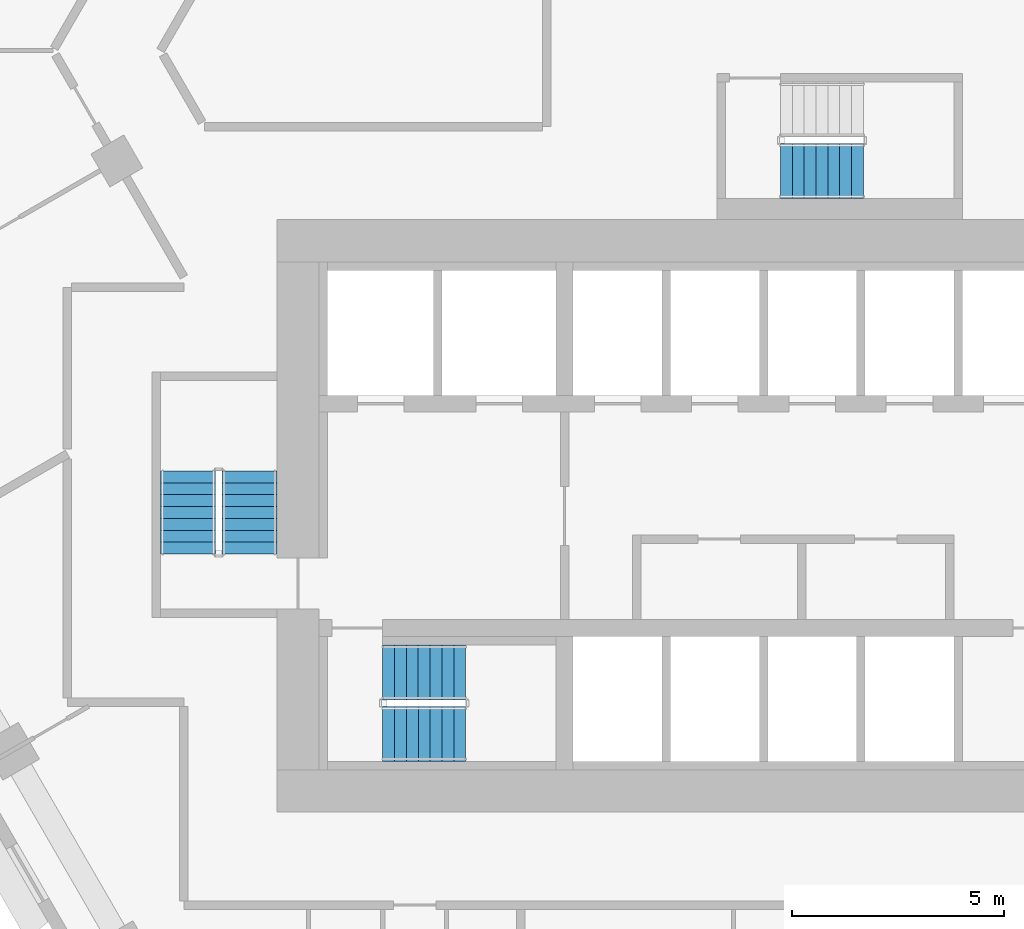
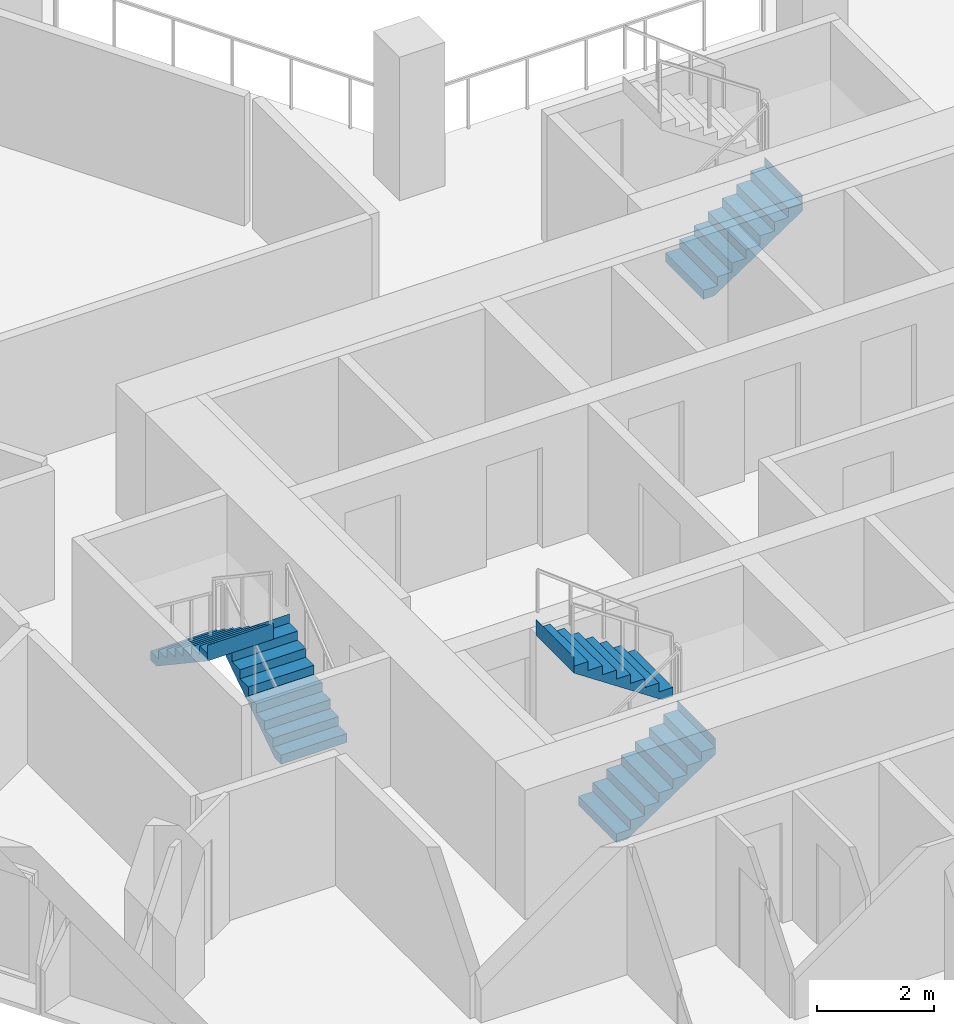
# One storey, part 10 of 15: 5 stair flights, 3 elements without a shape of their own.
"""IFC4 building model written with IfcOpenShell, lengths in metres."""

from ifc_helpers import new_model, si_unit, direction, frame, origin, place, context, subcontext, project, spatial, triangles, material, type_object, element, aggregate, save


model = new_model("IFC4")

# Units and contexts
model_context = context("Model", 3, precision=1e-05, world=origin(), true_north=direction((0.0, 1.0)))
body_context = subcontext(model_context, "Body", "Model", "MODEL_VIEW")
ifc_project = project(units=[si_unit("LENGTHUNIT", "METRE"), si_unit("AREAUNIT", "SQUARE_METRE"), si_unit("VOLUMEUNIT", "CUBIC_METRE"), si_unit("PLANEANGLEUNIT", "RADIAN"), si_unit("MASSUNIT", "GRAM", prefix="KILO")], contexts=[model_context])

# Site, building, storey
site_placement = place(None, origin())
site = spatial("IfcSite", under=ifc_project, at=site_placement, CompositionType="ELEMENT")
building_placement = place(site_placement, origin())
building = spatial("IfcBuilding", under=site, at=building_placement, Name="Beryl Residences", CompositionType="ELEMENT")
storey_placement = place(building_placement, frame((0.0, 0.0, 72.0)))
storey = spatial("IfcBuildingStorey", under=building, at=storey_placement, Name="L21", CompositionType="ELEMENT", Elevation=72.0)

# Stair, stair flights
ifc_material_1 = material(Name="Concrete C40/50", Category="concrete")
stair_type = type_object("IfcStairType", Name="ST1 protected exit stair, half-turn, 1300 mm flights", PredefinedType="HALF_TURN_STAIR", material=ifc_material_1)
stair_1_placement = place(storey_placement, origin())
stair_1 = element("IfcStair", 1, at=stair_1_placement, inside=storey, type_object=stair_type, Name="L21 PROTECTED EXIT STAIR ST-1", PredefinedType="HALF_TURN_STAIR")
ifc_material_2 = material(Name="Concrete C40/50", Category="concrete")
stair_flight_type = type_object("IfcStairFlightType", Name="SF1 stair flight 1300 mm", PredefinedType="STRAIGHT", material=ifc_material_2)
stair_flight_1_placement = place(storey_placement, frame((-10.800048828125, -17.14990234375, 0.0), z_axis=(0.0, 0.0, 1.0), x_axis=(1.0, 0.0, 0.0)))
stair_flight_1 = element("IfcStairFlight", 2, at=stair_flight_1_placement, type_object=stair_flight_type, Name="ST-1 flight 1", NumberOfRisers=8, NumberOfTreads=7, PredefinedType="STRAIGHT", RiserHeight=0.1875, TreadLength=0.28, context=body_context, shape_type="Tessellation", body=[
    triangles([(0.0, -0.64990234375, 0.0), (0.0, -0.324951171875, 0.0), (0.0, 0.0, 0.0), (0.0, 0.324951171875, 0.0), (0.0, 0.64990234375, 0.0), (0.0, -0.64990234375, 0.1875), (0.0, -0.324951171875, 0.1875), (0.0, 0.0, 0.1875), (0.0, 0.324951171875, 0.1875), (0.0, 0.64990234375, 0.1875), (0.280029296875, -0.64990234375, 0.1875), (0.280029296875, -0.324951171875, 0.1875), (0.280029296875, 0.0, 0.1875), (0.280029296875, 0.324951171875, 0.1875), (0.280029296875, 0.64990234375, 0.1875), (0.280029296875, -0.64990234375, 0.375), (0.280029296875, -0.324951171875, 0.375), (0.280029296875, 0.0, 0.375), (0.280029296875, 0.324951171875, 0.375), (0.280029296875, 0.64990234375, 0.375), (0.56005859375, -0.64990234375, 0.375), (0.56005859375, -0.324951171875, 0.375), (0.56005859375, 0.0, 0.375), (0.56005859375, 0.324951171875, 0.375), (0.56005859375, 0.64990234375, 0.375), (0.56005859375, -0.64990234375, 0.5625), (0.56005859375, -0.324951171875, 0.5625), (0.56005859375, 0.0, 0.5625), (0.56005859375, 0.324951171875, 0.5625), (0.56005859375, 0.64990234375, 0.5625), (0.840087890625, -0.64990234375, 0.5625), (0.840087890625, -0.324951171875, 0.5625), (0.840087890625, 0.0, 0.5625), (0.840087890625, 0.324951171875, 0.5625), (0.840087890625, 0.64990234375, 0.5625), (0.840087890625, -0.64990234375, 0.75), (0.840087890625, -0.324951171875, 0.75), (0.840087890625, 0.0, 0.75), (0.840087890625, 0.324951171875, 0.75), (0.840087890625, 0.64990234375, 0.75), (1.1201171875, -0.64990234375, 0.75), (1.1201171875, -0.324951171875, 0.75), (1.1201171875, 0.0, 0.75), (1.1201171875, 0.324951171875, 0.75), (1.1201171875, 0.64990234375, 0.75), (1.1201171875, -0.64990234375, 0.9375), (1.1201171875, -0.324951171875, 0.9375), (1.1201171875, 0.0, 0.9375), (1.1201171875, 0.324951171875, 0.9375), (1.1201171875, 0.64990234375, 0.9375), (1.39990234375, -0.64990234375, 0.9375), (1.39990234375, -0.324951171875, 0.9375), (1.39990234375, 0.0, 0.9375), (1.39990234375, 0.324951171875, 0.9375), (1.39990234375, 0.64990234375, 0.9375), (1.39990234375, -0.64990234375, 1.125), (1.39990234375, -0.324951171875, 1.125), (1.39990234375, 0.0, 1.125), (1.39990234375, 0.324951171875, 1.125), (1.39990234375, 0.64990234375, 1.125), (1.679931640625, -0.64990234375, 1.125), (1.679931640625, -0.324951171875, 1.125), (1.679931640625, 0.0, 1.125), (1.679931640625, 0.324951171875, 1.125), (1.679931640625, 0.64990234375, 1.125), (1.679931640625, -0.64990234375, 1.3125), (1.679931640625, -0.324951171875, 1.3125), (1.679931640625, 0.0, 1.3125), (1.679931640625, 0.324951171875, 1.3125), (1.679931640625, 0.64990234375, 1.3125), (1.9599609375, -0.64990234375, 1.3125), (1.9599609375, -0.324951171875, 1.3125), (1.9599609375, 0.0, 1.3125), (1.9599609375, 0.324951171875, 1.3125), (1.9599609375, 0.64990234375, 1.3125), (1.9599609375, -0.64990234375, 1.5), (1.9599609375, -0.324951171875, 1.5), (1.9599609375, 0.0, 1.5), (1.9599609375, 0.324951171875, 1.5), (1.9599609375, 0.64990234375, 1.5), (1.9609375, -0.64990234375, 1.5), (1.9609375, -0.324951171875, 1.5), (1.9609375, 0.0, 1.5), (1.9609375, 0.324951171875, 1.5), (1.9609375, 0.64990234375, 1.5), (1.9609375, -0.64990234375, 1.16796875), (1.9609375, -0.324951171875, 1.16796875), (1.9609375, 0.0, 1.16796875), (1.9609375, 0.324951171875, 1.16796875), (1.9609375, 0.64990234375, 1.16796875), (0.216796875, -0.64990234375, 0.0), (0.216796875, -0.324951171875, 0.0), (0.216796875, 0.0, 0.0), (0.216796875, 0.324951171875, 0.0), (0.216796875, 0.64990234375, 0.0)], [[1, 6, 7], [1, 7, 2], [2, 7, 8], [2, 8, 3], [3, 8, 9], [3, 9, 4], [4, 9, 10], [4, 10, 5], [6, 11, 12], [6, 12, 7], [7, 12, 13], [7, 13, 8], [8, 13, 14], [8, 14, 9], [9, 14, 15], [9, 15, 10], [11, 16, 17], [11, 17, 12], [12, 17, 18], [12, 18, 13], [13, 18, 19], [13, 19, 14], [14, 19, 20], [14, 20, 15], [16, 21, 22], [16, 22, 17], [17, 22, 23], [17, 23, 18], [18, 23, 24], [18, 24, 19], [19, 24, 25], [19, 25, 20], [21, 26, 27], [21, 27, 22], [22, 27, 28], [22, 28, 23], [23, 28, 29], [23, 29, 24], [24, 29, 30], [24, 30, 25], [26, 31, 32], [26, 32, 27], [27, 32, 33], [27, 33, 28], [28, 33, 34], [28, 34, 29], [29, 34, 35], [29, 35, 30], [31, 36, 37], [31, 37, 32], [32, 37, 38], [32, 38, 33], [33, 38, 39], [33, 39, 34], [34, 39, 40], [34, 40, 35], [36, 41, 42], [36, 42, 37], [37, 42, 43], [37, 43, 38], [38, 43, 44], [38, 44, 39], [39, 44, 45], [39, 45, 40], [41, 46, 47], [41, 47, 42], [42, 47, 48], [42, 48, 43], [43, 48, 49], [43, 49, 44], [44, 49, 50], [44, 50, 45], [46, 51, 52], [46, 52, 47], [47, 52, 53], [47, 53, 48], [48, 53, 54], [48, 54, 49], [49, 54, 55], [49, 55, 50], [51, 56, 57], [51, 57, 52], [52, 57, 58], [52, 58, 53], [53, 58, 59], [53, 59, 54], [54, 59, 60], [54, 60, 55], [56, 61, 62], [56, 62, 57], [57, 62, 63], [57, 63, 58], [58, 63, 64], [58, 64, 59], [59, 64, 65], [59, 65, 60], [61, 66, 67], [61, 67, 62], [62, 67, 68], [62, 68, 63], [63, 68, 69], [63, 69, 64], [64, 69, 70], [64, 70, 65], [66, 71, 72], [66, 72, 67], [67, 72, 73], [67, 73, 68], [68, 73, 74], [68, 74, 69], [69, 74, 75], [69, 75, 70], [71, 76, 77], [71, 77, 72], [72, 77, 78], [72, 78, 73], [73, 78, 79], [73, 79, 74], [74, 79, 80], [74, 80, 75], [76, 81, 82], [76, 82, 77], [77, 82, 83], [77, 83, 78], [78, 83, 84], [78, 84, 79], [79, 84, 85], [79, 85, 80], [81, 86, 87], [81, 87, 82], [82, 87, 88], [82, 88, 83], [83, 88, 89], [83, 89, 84], [84, 89, 90], [84, 90, 85], [86, 91, 92], [86, 92, 87], [87, 92, 93], [87, 93, 88], [88, 93, 94], [88, 94, 89], [89, 94, 95], [89, 95, 90], [91, 1, 2], [91, 2, 92], [92, 2, 3], [92, 3, 93], [93, 3, 4], [93, 4, 94], [94, 4, 5], [94, 5, 95], [1, 91, 86], [5, 90, 95], [86, 81, 76], [90, 80, 85], [86, 76, 71], [90, 75, 80], [86, 71, 66], [90, 70, 75], [86, 66, 61], [90, 65, 70], [61, 56, 51], [65, 55, 60], [86, 61, 51], [90, 55, 65], [51, 46, 41], [55, 45, 50], [86, 51, 41], [90, 45, 55], [41, 36, 31], [45, 35, 40], [86, 41, 31], [90, 35, 45], [31, 26, 21], [35, 25, 30], [86, 31, 21], [90, 25, 35], [21, 16, 11], [25, 15, 20], [86, 21, 11], [90, 15, 25], [1, 86, 11], [5, 15, 90], [11, 6, 1], [15, 5, 10]], closed=True),
])
stair_flight_2_placement = place(storey_placement, frame((-8.840087890625, -15.699951171875, 1.5), z_axis=(0.0, 0.0, 1.0), x_axis=(-1.0, 0.0, 0.0)))
stair_flight_2 = element("IfcStairFlight", 3, at=stair_flight_2_placement, type_object=stair_flight_type, Name="ST-1 flight 2", NumberOfRisers=8, NumberOfTreads=7, PredefinedType="STRAIGHT", RiserHeight=0.1875, TreadLength=0.28, context=body_context, shape_type="Tessellation", body=[
    triangles([(0.0, -0.64990234375, 0.0), (0.0, -0.324951171875, 0.0), (0.0, 0.0, 0.0), (0.0, 0.324951171875, 0.0), (0.0, 0.64990234375, 0.0), (0.0, -0.64990234375, 0.1875), (0.0, -0.324951171875, 0.1875), (0.0, 0.0, 0.1875), (0.0, 0.324951171875, 0.1875), (0.0, 0.64990234375, 0.1875), (0.280029296875, -0.64990234375, 0.1875), (0.280029296875, -0.324951171875, 0.1875), (0.280029296875, 0.0, 0.1875), (0.280029296875, 0.324951171875, 0.1875), (0.280029296875, 0.64990234375, 0.1875), (0.280029296875, -0.64990234375, 0.375), (0.280029296875, -0.324951171875, 0.375), (0.280029296875, 0.0, 0.375), (0.280029296875, 0.324951171875, 0.375), (0.280029296875, 0.64990234375, 0.375), (0.56005859375, -0.64990234375, 0.375), (0.56005859375, -0.324951171875, 0.375), (0.56005859375, 0.0, 0.375), (0.56005859375, 0.324951171875, 0.375), (0.56005859375, 0.64990234375, 0.375), (0.56005859375, -0.64990234375, 0.5625), (0.56005859375, -0.324951171875, 0.5625), (0.56005859375, 0.0, 0.5625), (0.56005859375, 0.324951171875, 0.5625), (0.56005859375, 0.64990234375, 0.5625), (0.840087890625, -0.64990234375, 0.5625), (0.840087890625, -0.324951171875, 0.5625), (0.840087890625, 0.0, 0.5625), (0.840087890625, 0.324951171875, 0.5625), (0.840087890625, 0.64990234375, 0.5625), (0.840087890625, -0.64990234375, 0.75), (0.840087890625, -0.324951171875, 0.75), (0.840087890625, 0.0, 0.75), (0.840087890625, 0.324951171875, 0.75), (0.840087890625, 0.64990234375, 0.75), (1.1201171875, -0.64990234375, 0.75), (1.1201171875, -0.324951171875, 0.75), (1.1201171875, 0.0, 0.75), (1.1201171875, 0.324951171875, 0.75), (1.1201171875, 0.64990234375, 0.75), (1.1201171875, -0.64990234375, 0.9375), (1.1201171875, -0.324951171875, 0.9375), (1.1201171875, 0.0, 0.9375), (1.1201171875, 0.324951171875, 0.9375), (1.1201171875, 0.64990234375, 0.9375), (1.39990234375, -0.64990234375, 0.9375), (1.39990234375, -0.324951171875, 0.9375), (1.39990234375, 0.0, 0.9375), (1.39990234375, 0.324951171875, 0.9375), (1.39990234375, 0.64990234375, 0.9375), (1.39990234375, -0.64990234375, 1.125), (1.39990234375, -0.324951171875, 1.125), (1.39990234375, 0.0, 1.125), (1.39990234375, 0.324951171875, 1.125), (1.39990234375, 0.64990234375, 1.125), (1.679931640625, -0.64990234375, 1.125), (1.679931640625, -0.324951171875, 1.125), (1.679931640625, 0.0, 1.125), (1.679931640625, 0.324951171875, 1.125), (1.679931640625, 0.64990234375, 1.125), (1.679931640625, -0.64990234375, 1.3125), (1.679931640625, -0.324951171875, 1.3125), (1.679931640625, 0.0, 1.3125), (1.679931640625, 0.324951171875, 1.3125), (1.679931640625, 0.64990234375, 1.3125), (1.9599609375, -0.64990234375, 1.3125), (1.9599609375, -0.324951171875, 1.3125), (1.9599609375, 0.0, 1.3125), (1.9599609375, 0.324951171875, 1.3125), (1.9599609375, 0.64990234375, 1.3125), (1.9599609375, -0.64990234375, 1.5), (1.9599609375, -0.324951171875, 1.5), (1.9599609375, 0.0, 1.5), (1.9599609375, 0.324951171875, 1.5), (1.9599609375, 0.64990234375, 1.5), (1.9609375, -0.64990234375, 1.5), (1.9609375, -0.324951171875, 1.5), (1.9609375, 0.0, 1.5), (1.9609375, 0.324951171875, 1.5), (1.9609375, 0.64990234375, 1.5), (1.9609375, -0.64990234375, 1.16796875), (1.9609375, -0.324951171875, 1.16796875), (1.9609375, 0.0, 1.16796875), (1.9609375, 0.324951171875, 1.16796875), (1.9609375, 0.64990234375, 1.16796875), (0.216796875, -0.64990234375, 0.0), (0.216796875, -0.324951171875, 0.0), (0.216796875, 0.0, 0.0), (0.216796875, 0.324951171875, 0.0), (0.216796875, 0.64990234375, 0.0)], [[1, 6, 7], [1, 7, 2], [2, 7, 8], [2, 8, 3], [3, 8, 9], [3, 9, 4], [4, 9, 10], [4, 10, 5], [6, 11, 12], [6, 12, 7], [7, 12, 13], [7, 13, 8], [8, 13, 14], [8, 14, 9], [9, 14, 15], [9, 15, 10], [11, 16, 17], [11, 17, 12], [12, 17, 18], [12, 18, 13], [13, 18, 19], [13, 19, 14], [14, 19, 20], [14, 20, 15], [16, 21, 22], [16, 22, 17], [17, 22, 23], [17, 23, 18], [18, 23, 24], [18, 24, 19], [19, 24, 25], [19, 25, 20], [21, 26, 27], [21, 27, 22], [22, 27, 28], [22, 28, 23], [23, 28, 29], [23, 29, 24], [24, 29, 30], [24, 30, 25], [26, 31, 32], [26, 32, 27], [27, 32, 33], [27, 33, 28], [28, 33, 34], [28, 34, 29], [29, 34, 35], [29, 35, 30], [31, 36, 37], [31, 37, 32], [32, 37, 38], [32, 38, 33], [33, 38, 39], [33, 39, 34], [34, 39, 40], [34, 40, 35], [36, 41, 42], [36, 42, 37], [37, 42, 43], [37, 43, 38], [38, 43, 44], [38, 44, 39], [39, 44, 45], [39, 45, 40], [41, 46, 47], [41, 47, 42], [42, 47, 48], [42, 48, 43], [43, 48, 49], [43, 49, 44], [44, 49, 50], [44, 50, 45], [46, 51, 52], [46, 52, 47], [47, 52, 53], [47, 53, 48], [48, 53, 54], [48, 54, 49], [49, 54, 55], [49, 55, 50], [51, 56, 57], [51, 57, 52], [52, 57, 58], [52, 58, 53], [53, 58, 59], [53, 59, 54], [54, 59, 60], [54, 60, 55], [56, 61, 62], [56, 62, 57], [57, 62, 63], [57, 63, 58], [58, 63, 64], [58, 64, 59], [59, 64, 65], [59, 65, 60], [61, 66, 67], [61, 67, 62], [62, 67, 68], [62, 68, 63], [63, 68, 69], [63, 69, 64], [64, 69, 70], [64, 70, 65], [66, 71, 72], [66, 72, 67], [67, 72, 73], [67, 73, 68], [68, 73, 74], [68, 74, 69], [69, 74, 75], [69, 75, 70], [71, 76, 77], [71, 77, 72], [72, 77, 78], [72, 78, 73], [73, 78, 79], [73, 79, 74], [74, 79, 80], [74, 80, 75], [76, 81, 82], [76, 82, 77], [77, 82, 83], [77, 83, 78], [78, 83, 84], [78, 84, 79], [79, 84, 85], [79, 85, 80], [81, 86, 87], [81, 87, 82], [82, 87, 88], [82, 88, 83], [83, 88, 89], [83, 89, 84], [84, 89, 90], [84, 90, 85], [86, 91, 92], [86, 92, 87], [87, 92, 93], [87, 93, 88], [88, 93, 94], [88, 94, 89], [89, 94, 95], [89, 95, 90], [91, 1, 2], [91, 2, 92], [92, 2, 3], [92, 3, 93], [93, 3, 4], [93, 4, 94], [94, 4, 5], [94, 5, 95], [1, 91, 86], [5, 90, 95], [86, 81, 76], [90, 80, 85], [86, 76, 71], [90, 75, 80], [86, 71, 66], [90, 70, 75], [86, 66, 61], [90, 65, 70], [61, 56, 51], [65, 55, 60], [86, 61, 51], [90, 55, 65], [51, 46, 41], [55, 45, 50], [86, 51, 41], [90, 45, 55], [41, 36, 31], [45, 35, 40], [86, 41, 31], [90, 35, 45], [31, 26, 21], [35, 25, 30], [86, 31, 21], [90, 25, 35], [21, 16, 11], [25, 15, 20], [86, 21, 11], [90, 15, 25], [1, 86, 11], [5, 15, 90], [11, 6, 1], [15, 5, 10]], closed=True),
])
aggregate(stair_1, [stair_flight_1, stair_flight_2])

stair_2_placement = place(storey_placement, origin())
stair_2 = element("IfcStair", 4, at=stair_2_placement, inside=storey, type_object=stair_type, Name="L21 PROTECTED EXIT STAIR ST-2", PredefinedType="HALF_TURN_STAIR")
stair_flight_3_placement = place(storey_placement, frame((-13.949951171875, -12.89990234375, 0.0), z_axis=(0.0, 0.0, 1.0), x_axis=(0.0, 1.0, 0.0)))
stair_flight_3 = element("IfcStairFlight", 5, at=stair_flight_3_placement, type_object=stair_flight_type, Name="ST-2 flight 1", NumberOfRisers=8, NumberOfTreads=7, PredefinedType="STRAIGHT", RiserHeight=0.1875, TreadLength=0.28, context=body_context, shape_type="Tessellation", body=[
    triangles([(0.0, -0.64990234375, 0.0), (0.0, -0.324951171875, 0.0), (0.0, 0.0, 0.0), (0.0, 0.324951171875, 0.0), (0.0, 0.64990234375, 0.0), (0.0, -0.64990234375, 0.1875), (0.0, -0.324951171875, 0.1875), (0.0, 0.0, 0.1875), (0.0, 0.324951171875, 0.1875), (0.0, 0.64990234375, 0.1875), (0.280029296875, -0.64990234375, 0.1875), (0.280029296875, -0.324951171875, 0.1875), (0.280029296875, 0.0, 0.1875), (0.280029296875, 0.324951171875, 0.1875), (0.280029296875, 0.64990234375, 0.1875), (0.280029296875, -0.64990234375, 0.375), (0.280029296875, -0.324951171875, 0.375), (0.280029296875, 0.0, 0.375), (0.280029296875, 0.324951171875, 0.375), (0.280029296875, 0.64990234375, 0.375), (0.56005859375, -0.64990234375, 0.375), (0.56005859375, -0.324951171875, 0.375), (0.56005859375, 0.0, 0.375), (0.56005859375, 0.324951171875, 0.375), (0.56005859375, 0.64990234375, 0.375), (0.56005859375, -0.64990234375, 0.5625), (0.56005859375, -0.324951171875, 0.5625), (0.56005859375, 0.0, 0.5625), (0.56005859375, 0.324951171875, 0.5625), (0.56005859375, 0.64990234375, 0.5625), (0.840087890625, -0.64990234375, 0.5625), (0.840087890625, -0.324951171875, 0.5625), (0.840087890625, 0.0, 0.5625), (0.840087890625, 0.324951171875, 0.5625), (0.840087890625, 0.64990234375, 0.5625), (0.840087890625, -0.64990234375, 0.75), (0.840087890625, -0.324951171875, 0.75), (0.840087890625, 0.0, 0.75), (0.840087890625, 0.324951171875, 0.75), (0.840087890625, 0.64990234375, 0.75), (1.1201171875, -0.64990234375, 0.75), (1.1201171875, -0.324951171875, 0.75), (1.1201171875, 0.0, 0.75), (1.1201171875, 0.324951171875, 0.75), (1.1201171875, 0.64990234375, 0.75), (1.1201171875, -0.64990234375, 0.9375), (1.1201171875, -0.324951171875, 0.9375), (1.1201171875, 0.0, 0.9375), (1.1201171875, 0.324951171875, 0.9375), (1.1201171875, 0.64990234375, 0.9375), (1.39990234375, -0.64990234375, 0.9375), (1.39990234375, -0.324951171875, 0.9375), (1.39990234375, 0.0, 0.9375), (1.39990234375, 0.324951171875, 0.9375), (1.39990234375, 0.64990234375, 0.9375), (1.39990234375, -0.64990234375, 1.125), (1.39990234375, -0.324951171875, 1.125), (1.39990234375, 0.0, 1.125), (1.39990234375, 0.324951171875, 1.125), (1.39990234375, 0.64990234375, 1.125), (1.679931640625, -0.64990234375, 1.125), (1.679931640625, -0.324951171875, 1.125), (1.679931640625, 0.0, 1.125), (1.679931640625, 0.324951171875, 1.125), (1.679931640625, 0.64990234375, 1.125), (1.679931640625, -0.64990234375, 1.3125), (1.679931640625, -0.324951171875, 1.3125), (1.679931640625, 0.0, 1.3125), (1.679931640625, 0.324951171875, 1.3125), (1.679931640625, 0.64990234375, 1.3125), (1.9599609375, -0.64990234375, 1.3125), (1.9599609375, -0.324951171875, 1.3125), (1.9599609375, 0.0, 1.3125), (1.9599609375, 0.324951171875, 1.3125), (1.9599609375, 0.64990234375, 1.3125), (1.9599609375, -0.64990234375, 1.5), (1.9599609375, -0.324951171875, 1.5), (1.9599609375, 0.0, 1.5), (1.9599609375, 0.324951171875, 1.5), (1.9599609375, 0.64990234375, 1.5), (1.9609375, -0.64990234375, 1.5), (1.9609375, -0.324951171875, 1.5), (1.9609375, 0.0, 1.5), (1.9609375, 0.324951171875, 1.5), (1.9609375, 0.64990234375, 1.5), (1.9609375, -0.64990234375, 1.16796875), (1.9609375, -0.324951171875, 1.16796875), (1.9609375, 0.0, 1.16796875), (1.9609375, 0.324951171875, 1.16796875), (1.9609375, 0.64990234375, 1.16796875), (0.216796875, -0.64990234375, 0.0), (0.216796875, -0.324951171875, 0.0), (0.216796875, 0.0, 0.0), (0.216796875, 0.324951171875, 0.0), (0.216796875, 0.64990234375, 0.0)], [[1, 6, 7], [1, 7, 2], [2, 7, 8], [2, 8, 3], [3, 8, 9], [3, 9, 4], [4, 9, 10], [4, 10, 5], [6, 11, 12], [6, 12, 7], [7, 12, 13], [7, 13, 8], [8, 13, 14], [8, 14, 9], [9, 14, 15], [9, 15, 10], [11, 16, 17], [11, 17, 12], [12, 17, 18], [12, 18, 13], [13, 18, 19], [13, 19, 14], [14, 19, 20], [14, 20, 15], [16, 21, 22], [16, 22, 17], [17, 22, 23], [17, 23, 18], [18, 23, 24], [18, 24, 19], [19, 24, 25], [19, 25, 20], [21, 26, 27], [21, 27, 22], [22, 27, 28], [22, 28, 23], [23, 28, 29], [23, 29, 24], [24, 29, 30], [24, 30, 25], [26, 31, 32], [26, 32, 27], [27, 32, 33], [27, 33, 28], [28, 33, 34], [28, 34, 29], [29, 34, 35], [29, 35, 30], [31, 36, 37], [31, 37, 32], [32, 37, 38], [32, 38, 33], [33, 38, 39], [33, 39, 34], [34, 39, 40], [34, 40, 35], [36, 41, 42], [36, 42, 37], [37, 42, 43], [37, 43, 38], [38, 43, 44], [38, 44, 39], [39, 44, 45], [39, 45, 40], [41, 46, 47], [41, 47, 42], [42, 47, 48], [42, 48, 43], [43, 48, 49], [43, 49, 44], [44, 49, 50], [44, 50, 45], [46, 51, 52], [46, 52, 47], [47, 52, 53], [47, 53, 48], [48, 53, 54], [48, 54, 49], [49, 54, 55], [49, 55, 50], [51, 56, 57], [51, 57, 52], [52, 57, 58], [52, 58, 53], [53, 58, 59], [53, 59, 54], [54, 59, 60], [54, 60, 55], [56, 61, 62], [56, 62, 57], [57, 62, 63], [57, 63, 58], [58, 63, 64], [58, 64, 59], [59, 64, 65], [59, 65, 60], [61, 66, 67], [61, 67, 62], [62, 67, 68], [62, 68, 63], [63, 68, 69], [63, 69, 64], [64, 69, 70], [64, 70, 65], [66, 71, 72], [66, 72, 67], [67, 72, 73], [67, 73, 68], [68, 73, 74], [68, 74, 69], [69, 74, 75], [69, 75, 70], [71, 76, 77], [71, 77, 72], [72, 77, 78], [72, 78, 73], [73, 78, 79], [73, 79, 74], [74, 79, 80], [74, 80, 75], [76, 81, 82], [76, 82, 77], [77, 82, 83], [77, 83, 78], [78, 83, 84], [78, 84, 79], [79, 84, 85], [79, 85, 80], [81, 86, 87], [81, 87, 82], [82, 87, 88], [82, 88, 83], [83, 88, 89], [83, 89, 84], [84, 89, 90], [84, 90, 85], [86, 91, 92], [86, 92, 87], [87, 92, 93], [87, 93, 88], [88, 93, 94], [88, 94, 89], [89, 94, 95], [89, 95, 90], [91, 1, 2], [91, 2, 92], [92, 2, 3], [92, 3, 93], [93, 3, 4], [93, 4, 94], [94, 4, 5], [94, 5, 95], [1, 91, 86], [5, 90, 95], [86, 81, 76], [90, 80, 85], [86, 76, 71], [90, 75, 80], [86, 71, 66], [90, 70, 75], [86, 66, 61], [90, 65, 70], [61, 56, 51], [65, 55, 60], [86, 61, 51], [90, 55, 65], [51, 46, 41], [55, 45, 50], [86, 51, 41], [90, 45, 55], [41, 36, 31], [45, 35, 40], [86, 41, 31], [90, 35, 45], [31, 26, 21], [35, 25, 30], [86, 31, 21], [90, 25, 35], [21, 16, 11], [25, 15, 20], [86, 21, 11], [90, 15, 25], [1, 86, 11], [5, 15, 90], [11, 6, 1], [15, 5, 10]], closed=True),
])
stair_flight_4_placement = place(storey_placement, frame((-15.39990234375, -10.93994140625, 1.5), z_axis=(0.0, 0.0, 1.0), x_axis=(0.0, -1.0, 0.0)))
stair_flight_4 = element("IfcStairFlight", 6, at=stair_flight_4_placement, type_object=stair_flight_type, Name="ST-2 flight 2", NumberOfRisers=8, NumberOfTreads=7, PredefinedType="STRAIGHT", RiserHeight=0.1875, TreadLength=0.28, context=body_context, shape_type="Tessellation", body=[
    triangles([(0.0, -0.64990234375, 0.0), (0.0, -0.324951171875, 0.0), (0.0, 0.0, 0.0), (0.0, 0.324951171875, 0.0), (0.0, 0.64990234375, 0.0), (0.0, -0.64990234375, 0.1875), (0.0, -0.324951171875, 0.1875), (0.0, 0.0, 0.1875), (0.0, 0.324951171875, 0.1875), (0.0, 0.64990234375, 0.1875), (0.280029296875, -0.64990234375, 0.1875), (0.280029296875, -0.324951171875, 0.1875), (0.280029296875, 0.0, 0.1875), (0.280029296875, 0.324951171875, 0.1875), (0.280029296875, 0.64990234375, 0.1875), (0.280029296875, -0.64990234375, 0.375), (0.280029296875, -0.324951171875, 0.375), (0.280029296875, 0.0, 0.375), (0.280029296875, 0.324951171875, 0.375), (0.280029296875, 0.64990234375, 0.375), (0.56005859375, -0.64990234375, 0.375), (0.56005859375, -0.324951171875, 0.375), (0.56005859375, 0.0, 0.375), (0.56005859375, 0.324951171875, 0.375), (0.56005859375, 0.64990234375, 0.375), (0.56005859375, -0.64990234375, 0.5625), (0.56005859375, -0.324951171875, 0.5625), (0.56005859375, 0.0, 0.5625), (0.56005859375, 0.324951171875, 0.5625), (0.56005859375, 0.64990234375, 0.5625), (0.840087890625, -0.64990234375, 0.5625), (0.840087890625, -0.324951171875, 0.5625), (0.840087890625, 0.0, 0.5625), (0.840087890625, 0.324951171875, 0.5625), (0.840087890625, 0.64990234375, 0.5625), (0.840087890625, -0.64990234375, 0.75), (0.840087890625, -0.324951171875, 0.75), (0.840087890625, 0.0, 0.75), (0.840087890625, 0.324951171875, 0.75), (0.840087890625, 0.64990234375, 0.75), (1.1201171875, -0.64990234375, 0.75), (1.1201171875, -0.324951171875, 0.75), (1.1201171875, 0.0, 0.75), (1.1201171875, 0.324951171875, 0.75), (1.1201171875, 0.64990234375, 0.75), (1.1201171875, -0.64990234375, 0.9375), (1.1201171875, -0.324951171875, 0.9375), (1.1201171875, 0.0, 0.9375), (1.1201171875, 0.324951171875, 0.9375), (1.1201171875, 0.64990234375, 0.9375), (1.39990234375, -0.64990234375, 0.9375), (1.39990234375, -0.324951171875, 0.9375), (1.39990234375, 0.0, 0.9375), (1.39990234375, 0.324951171875, 0.9375), (1.39990234375, 0.64990234375, 0.9375), (1.39990234375, -0.64990234375, 1.125), (1.39990234375, -0.324951171875, 1.125), (1.39990234375, 0.0, 1.125), (1.39990234375, 0.324951171875, 1.125), (1.39990234375, 0.64990234375, 1.125), (1.679931640625, -0.64990234375, 1.125), (1.679931640625, -0.324951171875, 1.125), (1.679931640625, 0.0, 1.125), (1.679931640625, 0.324951171875, 1.125), (1.679931640625, 0.64990234375, 1.125), (1.679931640625, -0.64990234375, 1.3125), (1.679931640625, -0.324951171875, 1.3125), (1.679931640625, 0.0, 1.3125), (1.679931640625, 0.324951171875, 1.3125), (1.679931640625, 0.64990234375, 1.3125), (1.9599609375, -0.64990234375, 1.3125), (1.9599609375, -0.324951171875, 1.3125), (1.9599609375, 0.0, 1.3125), (1.9599609375, 0.324951171875, 1.3125), (1.9599609375, 0.64990234375, 1.3125), (1.9599609375, -0.64990234375, 1.5), (1.9599609375, -0.324951171875, 1.5), (1.9599609375, 0.0, 1.5), (1.9599609375, 0.324951171875, 1.5), (1.9599609375, 0.64990234375, 1.5), (1.9609375, -0.64990234375, 1.5), (1.9609375, -0.324951171875, 1.5), (1.9609375, 0.0, 1.5), (1.9609375, 0.324951171875, 1.5), (1.9609375, 0.64990234375, 1.5), (1.9609375, -0.64990234375, 1.16796875), (1.9609375, -0.324951171875, 1.16796875), (1.9609375, 0.0, 1.16796875), (1.9609375, 0.324951171875, 1.16796875), (1.9609375, 0.64990234375, 1.16796875), (0.216796875, -0.64990234375, 0.0), (0.216796875, -0.324951171875, 0.0), (0.216796875, 0.0, 0.0), (0.216796875, 0.324951171875, 0.0), (0.216796875, 0.64990234375, 0.0)], [[1, 6, 7], [1, 7, 2], [2, 7, 8], [2, 8, 3], [3, 8, 9], [3, 9, 4], [4, 9, 10], [4, 10, 5], [6, 11, 12], [6, 12, 7], [7, 12, 13], [7, 13, 8], [8, 13, 14], [8, 14, 9], [9, 14, 15], [9, 15, 10], [11, 16, 17], [11, 17, 12], [12, 17, 18], [12, 18, 13], [13, 18, 19], [13, 19, 14], [14, 19, 20], [14, 20, 15], [16, 21, 22], [16, 22, 17], [17, 22, 23], [17, 23, 18], [18, 23, 24], [18, 24, 19], [19, 24, 25], [19, 25, 20], [21, 26, 27], [21, 27, 22], [22, 27, 28], [22, 28, 23], [23, 28, 29], [23, 29, 24], [24, 29, 30], [24, 30, 25], [26, 31, 32], [26, 32, 27], [27, 32, 33], [27, 33, 28], [28, 33, 34], [28, 34, 29], [29, 34, 35], [29, 35, 30], [31, 36, 37], [31, 37, 32], [32, 37, 38], [32, 38, 33], [33, 38, 39], [33, 39, 34], [34, 39, 40], [34, 40, 35], [36, 41, 42], [36, 42, 37], [37, 42, 43], [37, 43, 38], [38, 43, 44], [38, 44, 39], [39, 44, 45], [39, 45, 40], [41, 46, 47], [41, 47, 42], [42, 47, 48], [42, 48, 43], [43, 48, 49], [43, 49, 44], [44, 49, 50], [44, 50, 45], [46, 51, 52], [46, 52, 47], [47, 52, 53], [47, 53, 48], [48, 53, 54], [48, 54, 49], [49, 54, 55], [49, 55, 50], [51, 56, 57], [51, 57, 52], [52, 57, 58], [52, 58, 53], [53, 58, 59], [53, 59, 54], [54, 59, 60], [54, 60, 55], [56, 61, 62], [56, 62, 57], [57, 62, 63], [57, 63, 58], [58, 63, 64], [58, 64, 59], [59, 64, 65], [59, 65, 60], [61, 66, 67], [61, 67, 62], [62, 67, 68], [62, 68, 63], [63, 68, 69], [63, 69, 64], [64, 69, 70], [64, 70, 65], [66, 71, 72], [66, 72, 67], [67, 72, 73], [67, 73, 68], [68, 73, 74], [68, 74, 69], [69, 74, 75], [69, 75, 70], [71, 76, 77], [71, 77, 72], [72, 77, 78], [72, 78, 73], [73, 78, 79], [73, 79, 74], [74, 79, 80], [74, 80, 75], [76, 81, 82], [76, 82, 77], [77, 82, 83], [77, 83, 78], [78, 83, 84], [78, 84, 79], [79, 84, 85], [79, 85, 80], [81, 86, 87], [81, 87, 82], [82, 87, 88], [82, 88, 83], [83, 88, 89], [83, 89, 84], [84, 89, 90], [84, 90, 85], [86, 91, 92], [86, 92, 87], [87, 92, 93], [87, 93, 88], [88, 93, 94], [88, 94, 89], [89, 94, 95], [89, 95, 90], [91, 1, 2], [91, 2, 92], [92, 2, 3], [92, 3, 93], [93, 3, 4], [93, 4, 94], [94, 4, 5], [94, 5, 95], [1, 91, 86], [5, 90, 95], [86, 81, 76], [90, 80, 85], [86, 76, 71], [90, 75, 80], [86, 71, 66], [90, 70, 75], [86, 66, 61], [90, 65, 70], [61, 56, 51], [65, 55, 60], [86, 61, 51], [90, 55, 65], [51, 46, 41], [55, 45, 50], [86, 51, 41], [90, 45, 55], [41, 36, 31], [45, 35, 40], [86, 41, 31], [90, 35, 45], [31, 26, 21], [35, 25, 30], [86, 31, 21], [90, 25, 35], [21, 16, 11], [25, 15, 20], [86, 21, 11], [90, 15, 25], [1, 86, 11], [5, 15, 90], [11, 6, 1], [15, 5, 10]], closed=True),
])
aggregate(stair_2, [stair_flight_3, stair_flight_4])

# Stair, stair flight
stair_3_placement = place(storey_placement, origin())
stair_3 = element("IfcStair", 7, at=stair_3_placement, inside=storey, type_object=stair_type, Name="L21 PROTECTED EXIT STAIR ST-4", PredefinedType="HALF_TURN_STAIR")
stair_flight_5_placement = place(storey_placement, frame((-1.39990234375, -3.85009765625, 0.0), z_axis=(0.0, 0.0, 1.0), x_axis=(1.0, 0.0, 0.0)))
stair_flight_5 = element("IfcStairFlight", 8, at=stair_flight_5_placement, type_object=stair_flight_type, Name="ST-4 flight 1", NumberOfRisers=8, NumberOfTreads=7, PredefinedType="STRAIGHT", RiserHeight=0.1875, TreadLength=0.28, context=body_context, shape_type="Tessellation", body=[
    triangles([(0.0, -0.64990234375, 0.0), (0.0, -0.324951171875, 0.0), (0.0, 0.0, 0.0), (0.0, 0.324951171875, 0.0), (0.0, 0.64990234375, 0.0), (0.0, -0.64990234375, 0.1875), (0.0, -0.324951171875, 0.1875), (0.0, 0.0, 0.1875), (0.0, 0.324951171875, 0.1875), (0.0, 0.64990234375, 0.1875), (0.280029296875, -0.64990234375, 0.1875), (0.280029296875, -0.324951171875, 0.1875), (0.280029296875, 0.0, 0.1875), (0.280029296875, 0.324951171875, 0.1875), (0.280029296875, 0.64990234375, 0.1875), (0.280029296875, -0.64990234375, 0.375), (0.280029296875, -0.324951171875, 0.375), (0.280029296875, 0.0, 0.375), (0.280029296875, 0.324951171875, 0.375), (0.280029296875, 0.64990234375, 0.375), (0.56005859375, -0.64990234375, 0.375), (0.56005859375, -0.324951171875, 0.375), (0.56005859375, 0.0, 0.375), (0.56005859375, 0.324951171875, 0.375), (0.56005859375, 0.64990234375, 0.375), (0.56005859375, -0.64990234375, 0.5625), (0.56005859375, -0.324951171875, 0.5625), (0.56005859375, 0.0, 0.5625), (0.56005859375, 0.324951171875, 0.5625), (0.56005859375, 0.64990234375, 0.5625), (0.840087890625, -0.64990234375, 0.5625), (0.840087890625, -0.324951171875, 0.5625), (0.840087890625, 0.0, 0.5625), (0.840087890625, 0.324951171875, 0.5625), (0.840087890625, 0.64990234375, 0.5625), (0.840087890625, -0.64990234375, 0.75), (0.840087890625, -0.324951171875, 0.75), (0.840087890625, 0.0, 0.75), (0.840087890625, 0.324951171875, 0.75), (0.840087890625, 0.64990234375, 0.75), (1.1201171875, -0.64990234375, 0.75), (1.1201171875, -0.324951171875, 0.75), (1.1201171875, 0.0, 0.75), (1.1201171875, 0.324951171875, 0.75), (1.1201171875, 0.64990234375, 0.75), (1.1201171875, -0.64990234375, 0.9375), (1.1201171875, -0.324951171875, 0.9375), (1.1201171875, 0.0, 0.9375), (1.1201171875, 0.324951171875, 0.9375), (1.1201171875, 0.64990234375, 0.9375), (1.39990234375, -0.64990234375, 0.9375), (1.39990234375, -0.324951171875, 0.9375), (1.39990234375, 0.0, 0.9375), (1.39990234375, 0.324951171875, 0.9375), (1.39990234375, 0.64990234375, 0.9375), (1.39990234375, -0.64990234375, 1.125), (1.39990234375, -0.324951171875, 1.125), (1.39990234375, 0.0, 1.125), (1.39990234375, 0.324951171875, 1.125), (1.39990234375, 0.64990234375, 1.125), (1.679931640625, -0.64990234375, 1.125), (1.679931640625, -0.324951171875, 1.125), (1.679931640625, 0.0, 1.125), (1.679931640625, 0.324951171875, 1.125), (1.679931640625, 0.64990234375, 1.125), (1.679931640625, -0.64990234375, 1.3125), (1.679931640625, -0.324951171875, 1.3125), (1.679931640625, 0.0, 1.3125), (1.679931640625, 0.324951171875, 1.3125), (1.679931640625, 0.64990234375, 1.3125), (1.9599609375, -0.64990234375, 1.3125), (1.9599609375, -0.324951171875, 1.3125), (1.9599609375, 0.0, 1.3125), (1.9599609375, 0.324951171875, 1.3125), (1.9599609375, 0.64990234375, 1.3125), (1.9599609375, -0.64990234375, 1.5), (1.9599609375, -0.324951171875, 1.5), (1.9599609375, 0.0, 1.5), (1.9599609375, 0.324951171875, 1.5), (1.9599609375, 0.64990234375, 1.5), (1.9609375, -0.64990234375, 1.5), (1.9609375, -0.324951171875, 1.5), (1.9609375, 0.0, 1.5), (1.9609375, 0.324951171875, 1.5), (1.9609375, 0.64990234375, 1.5), (1.9609375, -0.64990234375, 1.16796875), (1.9609375, -0.324951171875, 1.16796875), (1.9609375, 0.0, 1.16796875), (1.9609375, 0.324951171875, 1.16796875), (1.9609375, 0.64990234375, 1.16796875), (0.216796875, -0.64990234375, 0.0), (0.216796875, -0.324951171875, 0.0), (0.216796875, 0.0, 0.0), (0.216796875, 0.324951171875, 0.0), (0.216796875, 0.64990234375, 0.0)], [[1, 6, 7], [1, 7, 2], [2, 7, 8], [2, 8, 3], [3, 8, 9], [3, 9, 4], [4, 9, 10], [4, 10, 5], [6, 11, 12], [6, 12, 7], [7, 12, 13], [7, 13, 8], [8, 13, 14], [8, 14, 9], [9, 14, 15], [9, 15, 10], [11, 16, 17], [11, 17, 12], [12, 17, 18], [12, 18, 13], [13, 18, 19], [13, 19, 14], [14, 19, 20], [14, 20, 15], [16, 21, 22], [16, 22, 17], [17, 22, 23], [17, 23, 18], [18, 23, 24], [18, 24, 19], [19, 24, 25], [19, 25, 20], [21, 26, 27], [21, 27, 22], [22, 27, 28], [22, 28, 23], [23, 28, 29], [23, 29, 24], [24, 29, 30], [24, 30, 25], [26, 31, 32], [26, 32, 27], [27, 32, 33], [27, 33, 28], [28, 33, 34], [28, 34, 29], [29, 34, 35], [29, 35, 30], [31, 36, 37], [31, 37, 32], [32, 37, 38], [32, 38, 33], [33, 38, 39], [33, 39, 34], [34, 39, 40], [34, 40, 35], [36, 41, 42], [36, 42, 37], [37, 42, 43], [37, 43, 38], [38, 43, 44], [38, 44, 39], [39, 44, 45], [39, 45, 40], [41, 46, 47], [41, 47, 42], [42, 47, 48], [42, 48, 43], [43, 48, 49], [43, 49, 44], [44, 49, 50], [44, 50, 45], [46, 51, 52], [46, 52, 47], [47, 52, 53], [47, 53, 48], [48, 53, 54], [48, 54, 49], [49, 54, 55], [49, 55, 50], [51, 56, 57], [51, 57, 52], [52, 57, 58], [52, 58, 53], [53, 58, 59], [53, 59, 54], [54, 59, 60], [54, 60, 55], [56, 61, 62], [56, 62, 57], [57, 62, 63], [57, 63, 58], [58, 63, 64], [58, 64, 59], [59, 64, 65], [59, 65, 60], [61, 66, 67], [61, 67, 62], [62, 67, 68], [62, 68, 63], [63, 68, 69], [63, 69, 64], [64, 69, 70], [64, 70, 65], [66, 71, 72], [66, 72, 67], [67, 72, 73], [67, 73, 68], [68, 73, 74], [68, 74, 69], [69, 74, 75], [69, 75, 70], [71, 76, 77], [71, 77, 72], [72, 77, 78], [72, 78, 73], [73, 78, 79], [73, 79, 74], [74, 79, 80], [74, 80, 75], [76, 81, 82], [76, 82, 77], [77, 82, 83], [77, 83, 78], [78, 83, 84], [78, 84, 79], [79, 84, 85], [79, 85, 80], [81, 86, 87], [81, 87, 82], [82, 87, 88], [82, 88, 83], [83, 88, 89], [83, 89, 84], [84, 89, 90], [84, 90, 85], [86, 91, 92], [86, 92, 87], [87, 92, 93], [87, 93, 88], [88, 93, 94], [88, 94, 89], [89, 94, 95], [89, 95, 90], [91, 1, 2], [91, 2, 92], [92, 2, 3], [92, 3, 93], [93, 3, 4], [93, 4, 94], [94, 4, 5], [94, 5, 95], [1, 91, 86], [5, 90, 95], [86, 81, 76], [90, 80, 85], [86, 76, 71], [90, 75, 80], [86, 71, 66], [90, 70, 75], [86, 66, 61], [90, 65, 70], [61, 56, 51], [65, 55, 60], [86, 61, 51], [90, 55, 65], [51, 46, 41], [55, 45, 50], [86, 51, 41], [90, 45, 55], [41, 36, 31], [45, 35, 40], [86, 41, 31], [90, 35, 45], [31, 26, 21], [35, 25, 30], [86, 31, 21], [90, 25, 35], [21, 16, 11], [25, 15, 20], [86, 21, 11], [90, 15, 25], [1, 86, 11], [5, 15, 90], [11, 6, 1], [15, 5, 10]], closed=True),
])
aggregate(stair_3, [stair_flight_5])

save(model, "model.ifc")
